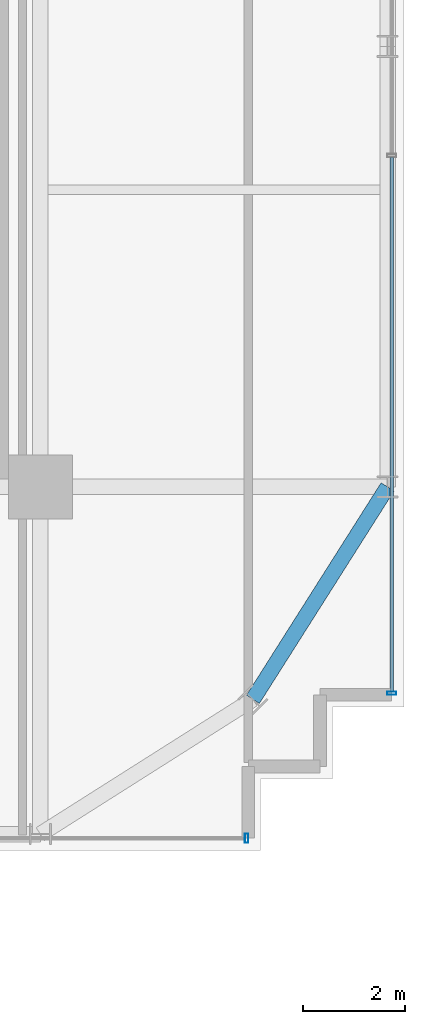
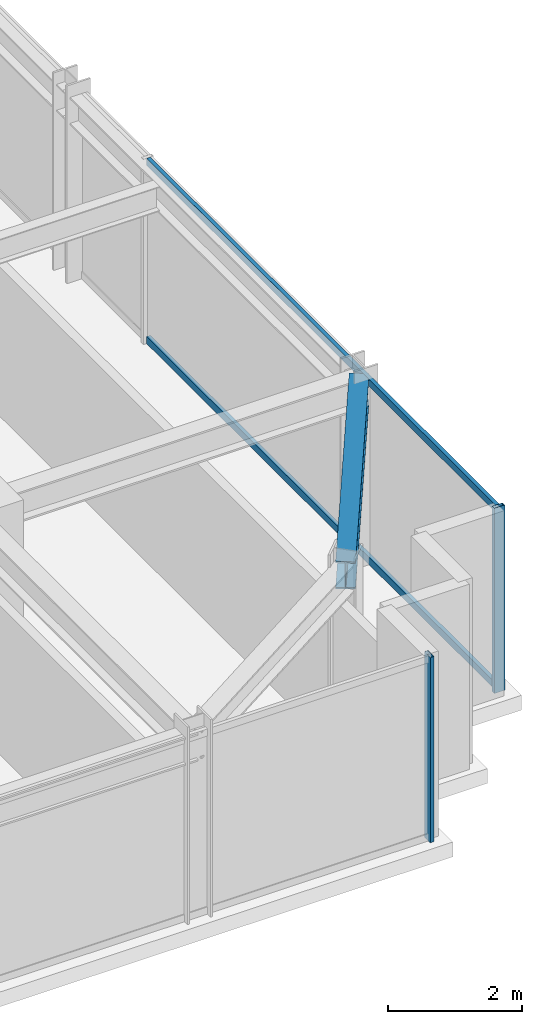
# One storey, part 12 of 31: 4 members, 1 beam, 2 elements without a shape of their own.
"""IFC4 building model written with IfcOpenShell, lengths in metres."""

import ifcopenshell
import ifcopenshell.guid

model = None  # the IFC model being written
_history = None  # IfcOwnerHistory: only IFC2X3 demands one
_inside = {}  # id of a spatial element -> (the spatial element, [elements in it])
_under = {}  # id of a project, library or spatial element -> (it, [spatial elements below it])
_declared = {}  # id of a project -> (the project, [libraries it declares])
_typed = {}  # id of a type object -> (the type object, [elements of that type])
_made_of = {}  # id of a material, layer set ... -> (it, [elements and type objects made of it])


def new_model(schema):
    """Start an empty IFC model of exactly this schema.

    Asked for "IFC4X3", IfcOpenShell would pick the latest addendum, in which some entities
    have other attributes; the version numbers below select the first issue.
    IFC2X3 requires an IfcOwnerHistory on every rooted entity: one is made here for all.
    """
    global model, _history
    if schema == "IFC4X3":
        model = ifcopenshell.file(schema_version=(4, 3, 0, 0))
    else:
        model = ifcopenshell.file(schema=schema)
    _inside.clear()
    _under.clear()
    _declared.clear()
    _typed.clear()
    _made_of.clear()
    _history = None
    if model.schema == "IFC2X3":
        org = make("IfcOrganization", Name="unknown")
        user = make(
            "IfcPersonAndOrganization",
            ThePerson=make("IfcPerson", FamilyName="unknown"),
            TheOrganization=org,
        )
        app = make(
            "IfcApplication",
            ApplicationDeveloper=org,
            Version="unknown",
            ApplicationFullName="unknown",
            ApplicationIdentifier="unknown",
        )
        _history = make(
            "IfcOwnerHistory",
            OwningUser=user,
            OwningApplication=app,
            ChangeAction="ADDED",
            CreationDate=0,
        )
    return model


def make(cls, **values):
    """One entity of the class cls with the attributes given. An attribute that is None is left unset."""
    return model.create_entity(
        cls, **{name: value for name, value in values.items() if value is not None}
    )


def rooted(cls, **values):
    """An entity with a GlobalId (a new one), such as an element, a storey or a relation."""
    return make(cls, GlobalId=ifcopenshell.guid.new(), OwnerHistory=_history, **values)


def si_unit(unit_type, name, prefix=None):
    """IfcSIUnit, for example si_unit("LENGTHUNIT", "METRE", prefix="MILLI")."""
    return make("IfcSIUnit", UnitType=unit_type, Prefix=prefix, Name=name)


def assignment(units):
    """IfcUnitAssignment: the units of a project."""
    return None if units is None else make("IfcUnitAssignment", Units=units)


def point(xyz):
    """IfcCartesianPoint."""
    return None if xyz is None else make("IfcCartesianPoint", Coordinates=xyz)


def direction(xyz):
    """IfcDirection."""
    return None if xyz is None else make("IfcDirection", DirectionRatios=xyz)


def frame(location, z_axis=None, x_axis=None):
    """IfcAxis2Placement3D, a coordinate frame: its origin and axes. An axis left out is left unset."""
    return make(
        "IfcAxis2Placement3D",
        Location=point(location),
        Axis=direction(z_axis),
        RefDirection=direction(x_axis),
    )


def frame_2d(location, x_axis=None):
    """IfcAxis2Placement2D, a coordinate frame in the plane: its origin and x axis."""
    return make(
        "IfcAxis2Placement2D", Location=point(location), RefDirection=direction(x_axis)
    )


def origin():
    """The frame at (0, 0, 0) with its axes left unset."""
    return frame((0.0, 0.0, 0.0))


def origin_2d():
    """The frame at (0, 0) in the plane with its x axis left unset."""
    return frame_2d((0.0, 0.0))


def place(relative_to, where):
    """IfcLocalPlacement: puts the frame where relative to a parent placement (None: the world)."""
    return make(
        "IfcLocalPlacement", PlacementRelTo=relative_to, RelativePlacement=where
    )


def context(
    kind, dimensions, precision=None, world=None, true_north=None, identifier=None
):
    """IfcGeometricRepresentationContext, for example the 3D "Model" context."""
    return make(
        "IfcGeometricRepresentationContext",
        ContextIdentifier=identifier,
        ContextType=kind,
        CoordinateSpaceDimension=dimensions,
        Precision=precision,
        WorldCoordinateSystem=world,
        TrueNorth=true_north,
    )


def subcontext(parent, identifier, kind, view, scale=None):
    """IfcGeometricRepresentationSubContext, for example "Body" below "Model"."""
    return make(
        "IfcGeometricRepresentationSubContext",
        ContextIdentifier=identifier,
        ContextType=kind,
        ParentContext=parent,
        TargetScale=scale,
        TargetView=view,
    )


def project(units=None, contexts=None):
    """IfcProject with its units and contexts."""
    return rooted(
        "IfcProject",
        Name="project",
        RepresentationContexts=contexts,
        UnitsInContext=assignment(units),
    )


def spatial(cls, under=None, at=None, **own):
    """A site, building, storey or space (cls), placed at a placement, below another one or the project."""
    s = rooted(cls, ObjectPlacement=at, **own)
    if under is not None:
        _under.setdefault(under.id(), (under, []))[1].append(s)
    return s


def profile(cls, at=None, kind="AREA", **sizes):
    """A parametric profile (cls). Its sizes go by their IFC names, for example OverallWidth=200.0."""
    return make(cls, ProfileType=kind, Position=at, **sizes)


def hollow_rectangle(**sizes):
    """IfcRectangleHollowProfileDef."""
    return profile("IfcRectangleHollowProfileDef", **sizes)


def i_section(**sizes):
    """IfcIShapeProfileDef."""
    return profile("IfcIShapeProfileDef", **sizes)


def extrude(swept, where, along, depth):
    """IfcExtrudedAreaSolid: the profile swept, set in the frame where, extruded along a direction by depth."""
    return make(
        "IfcExtrudedAreaSolid",
        SweptArea=swept,
        Position=where,
        ExtrudedDirection=direction(along),
        Depth=depth,
    )


def shape(context_of_items, identifier, shape_type, items):
    """IfcShapeRepresentation: the items that make up one representation, for example the "Body"."""
    return make(
        "IfcShapeRepresentation",
        ContextOfItems=context_of_items,
        RepresentationIdentifier=identifier,
        RepresentationType=shape_type,
        Items=items,
    )


def source(mapping_origin, context_of_items, identifier, shape_type, items):
    """IfcRepresentationMap: a shape defined once, which mapped items show again and again."""
    return make(
        "IfcRepresentationMap",
        MappingOrigin=mapping_origin,
        MappedRepresentation=shape(context_of_items, identifier, shape_type, items),
    )


def transform(
    local_origin,
    x_axis=None,
    y_axis=None,
    z_axis=None,
    scale=None,
    scale2=None,
    scale3=None,
    uniform=True,
):
    """IfcCartesianTransformationOperator3D, or its non-uniform kind. x_axis, y_axis, z_axis: its Axis1, 2, 3."""
    if uniform:
        return make(
            "IfcCartesianTransformationOperator3D",
            Axis1=direction(x_axis),
            Axis2=direction(y_axis),
            LocalOrigin=point(local_origin),
            Scale=scale,
            Axis3=direction(z_axis),
        )
    return make(
        "IfcCartesianTransformationOperator3DnonUniform",
        Axis1=direction(x_axis),
        Axis2=direction(y_axis),
        LocalOrigin=point(local_origin),
        Scale=scale,
        Axis3=direction(z_axis),
        Scale2=scale2,
        Scale3=scale3,
    )


def mapped(mapping_source, mapping_target):
    """IfcMappedItem: shows the shape of a source again, moved by a transform."""
    return make(
        "IfcMappedItem", MappingSource=mapping_source, MappingTarget=mapping_target
    )


def material(Name=None, Category=None):
    """IfcMaterial."""
    return make("IfcMaterial", Name=Name, Category=Category)


def material_profile(
    of_material, cross_section, Name=None, Category=None, Priority=None
):
    """IfcMaterialProfile: a cross section and its material."""
    return make(
        "IfcMaterialProfile",
        Name=Name,
        Material=of_material,
        Profile=cross_section,
        Priority=Priority,
        Category=Category,
    )


def profile_set(profiles, Name=None, composite=None):
    """IfcMaterialProfileSet."""
    return make(
        "IfcMaterialProfileSet",
        Name=Name,
        MaterialProfiles=profiles,
        CompositeProfile=composite,
    )


def made_of(thing, what):
    """Note that an element or type object is made of a material, layer set ...; save() writes the relation."""
    if what is not None:
        _made_of.setdefault(what.id(), (what, []))[1].append(thing)
    return thing


def type_object(cls, material=None, **own):
    """A type object (cls), such as IfcWallType, which elements share."""
    return made_of(rooted(cls, **own), material)


def element(
    cls,
    number,
    at=None,
    inside=None,
    cuts=None,
    type_object=None,
    material=None,
    context=None,
    identifier="Body",
    shape_type=None,
    held_by="IfcProductDefinitionShape",
    body=None,
    shapes=None,
    **own,
):
    """One element of the class cls, such as IfcWall. Its Tag is "e" and its number.

    at: its placement. inside: the storey or other place that contains it. cuts: it is an
    opening in that element (IfcRelVoidsElement). A single representation is given by context,
    identifier, shape_type and body (its items); several are given by shapes. held_by: the class
    of the entity that holds the representations. save() writes the other relations.
    """
    e = rooted(cls, Tag="e%d" % number, ObjectPlacement=at, **own)
    if body is not None:
        shapes = [shape(context, identifier, shape_type, body)]
    if shapes is not None:
        e.Representation = make(held_by, Representations=shapes)
    if inside is not None:
        _inside.setdefault(inside.id(), (inside, []))[1].append(e)
    if cuts is not None:
        rooted(
            "IfcRelVoidsElement", RelatingBuildingElement=cuts, RelatedOpeningElement=e
        )
    if type_object is not None:
        _typed.setdefault(type_object.id(), (type_object, []))[1].append(e)
    return made_of(e, material)


def aggregate(whole, parts):
    """IfcRelAggregates: a whole, such as a stair, and the parts it consists of."""
    return rooted("IfcRelAggregates", RelatingObject=whole, RelatedObjects=parts)


def save(model, path):
    """Write the relations noted so far, then the file.

    IfcRelAggregates (storeys below a building ...), IfcRelContainedInSpatialStructure (elements
    in a storey), IfcRelDefinesByType, IfcRelAssociatesMaterial and IfcRelDeclares: one each for
    every whole, place, type object, material and project.
    """
    for whole, parts in _under.values():
        aggregate(whole, parts)
    for where, things in _inside.values():
        rooted(
            "IfcRelContainedInSpatialStructure",
            RelatedElements=things,
            RelatingStructure=where,
        )
    for kind, things in _typed.values():
        rooted("IfcRelDefinesByType", RelatedObjects=things, RelatingType=kind)
    for what, things in _made_of.values():
        rooted("IfcRelAssociatesMaterial", RelatedObjects=things, RelatingMaterial=what)
    for by, libraries in _declared.values():
        rooted("IfcRelDeclares", RelatingContext=by, RelatedDefinitions=libraries)
    model.write(path)


model = new_model("IFC4")

# Units and contexts
model_context = context("Model", 3, precision=1e-05, world=origin(), true_north=direction((0.0, 1.0)))
body_context = subcontext(model_context, "Body", "Model", "MODEL_VIEW")
ifc_project = project(units=[si_unit("LENGTHUNIT", "METRE"), si_unit("AREAUNIT", "SQUARE_METRE"), si_unit("VOLUMEUNIT", "CUBIC_METRE"), si_unit("PLANEANGLEUNIT", "RADIAN"), si_unit("MASSUNIT", "GRAM", prefix="KILO")], contexts=[model_context])

# Site, building, storey
site_placement = place(None, origin())
site = spatial("IfcSite", under=ifc_project, at=site_placement, CompositionType="ELEMENT")
building_placement = place(site_placement, origin())
building = spatial("IfcBuilding", under=site, at=building_placement, Name="Nahalor Promenade Grand Hotel", CompositionType="ELEMENT")
storey_placement = place(building_placement, frame((0.0, 0.0, 95.60009765625)))
storey = spatial("IfcBuildingStorey", under=building, at=storey_placement, Name="L23", CompositionType="ELEMENT", Elevation=95.60009765625)

# Beam
ifc_material_1 = material(Name="Steel S355JR", Category="steel")
ifc_material_profile_1 = material_profile(ifc_material_1, i_section(OverallWidth=0.3, OverallDepth=0.5, WebThickness=0.0145, FlangeThickness=0.028, at=origin_2d()), Name="HEB 500")
ifc_profile_set_1 = profile_set([ifc_material_profile_1], Name="Steel S355JR")
beam_type = type_object("IfcBeamType", Name="Beam-Spandrel-HEB500", PredefinedType="SPANDREL", material=ifc_profile_set_1)
shared_shape_1 = source(origin(), body_context, "Body", "SweptSolid", [
    extrude(i_section(OverallWidth=0.3, OverallDepth=0.5, WebThickness=0.0145, FlangeThickness=0.028, at=origin_2d()), origin(), (0.0, 0.0, 1.0), 4.9130859375),
])
beam_placement = place(storey_placement, frame((21.14990234375, -21.14990234375, 3.1298828125), z_axis=(0.535321591403, 0.844648325505, 0.0), x_axis=(-0.844648325505, 0.535321591403, 0.0)))
element("IfcBeam", 1, at=beam_placement, inside=storey, type_object=beam_type, Name="BM-L23-SPC-SE-2", PredefinedType="SPANDREL", context=body_context, shape_type="MappedRepresentation", body=[
    mapped(shared_shape_1, transform((0.0, 0.0, 0.0), scale=1.0)),
])

# Curtain wall, member
ifc_material_2 = material(Name="Anodised Bronze Aluminium EN AW-6063 T6", Category="aluminium")
curtain_wall_type = type_object("IfcCurtainWallType", Name="CW2 Typical Hotel Flush Bronze Unitised Curtain Wall", PredefinedType="USERDEFINED", material=ifc_material_2)
curtain_wall_1_placement = place(storey_placement, origin())
curtain_wall_1 = element("IfcCurtainWall", 2, at=curtain_wall_1_placement, inside=storey, type_object=curtain_wall_type, Name="L23 Curtain Wall CW-L23-S-3", ObjectType="UNITISED_CURTAIN_WALL", PredefinedType="USERDEFINED")
ifc_material_profile_2 = material_profile(ifc_material_2, hollow_rectangle(XDim=0.065, YDim=0.18, WallThickness=0.004, at=origin_2d()), Name="CWM 65x180x4")
ifc_profile_set_2 = profile_set([ifc_material_profile_2], Name="Anodised Bronze Aluminium EN AW-6063 T6")
member_type_1 = type_object("IfcMemberType", Name="CWM2 Typical Bronze Mullion 65x180", PredefinedType="MULLION", material=ifc_profile_set_2)
shared_shape_2 = source(origin(), body_context, "Body", "SweptSolid", [
    extrude(hollow_rectangle(XDim=0.065, YDim=0.18, WallThickness=0.004, at=origin_2d()), origin(), (0.0, 0.0, 1.0), 3.3798828125),
])
member_1_placement = place(storey_placement, frame((21.027587890625, -23.860107421875, 0.0), z_axis=(0.0, 0.0, 1.0), x_axis=(1.0, 0.0, 0.0)))
member_1 = element("IfcMember", 3, at=member_1_placement, type_object=member_type_1, Name="CW-L23-S-3 Mullion 2", PredefinedType="MULLION", context=body_context, shape_type="MappedRepresentation", body=[
    mapped(shared_shape_2, transform((0.0, 0.0, 0.0), scale=1.0)),
])
aggregate(curtain_wall_1, [member_1])

# Curtain wall, members
curtain_wall_2_placement = place(storey_placement, origin())
curtain_wall_2 = element("IfcCurtainWall", 4, at=curtain_wall_2_placement, inside=storey, type_object=curtain_wall_type, Name="L23 Curtain Wall CW-L23-E-1", ObjectType="UNITISED_CURTAIN_WALL", PredefinedType="USERDEFINED")
member_2_placement = place(storey_placement, frame((23.860107421875, -21.027587890625, 0.0), z_axis=(0.0, 0.0, 1.0), x_axis=(0.0, 1.0, 0.0)))
member_2 = element("IfcMember", 5, at=member_2_placement, type_object=member_type_1, Name="CW-L23-E-1 Mullion 0", PredefinedType="MULLION", context=body_context, shape_type="MappedRepresentation", body=[
    mapped(shared_shape_2, transform((0.0, 0.0, 0.0), scale=1.0)),
])
ifc_material_profile_3 = material_profile(ifc_material_2, hollow_rectangle(XDim=0.065, YDim=0.13, WallThickness=0.004, at=origin_2d()), Name="CWT 65x130x4")
ifc_profile_set_3 = profile_set([ifc_material_profile_3], Name="Anodised Bronze Aluminium EN AW-6063 T6")
member_type_2 = type_object("IfcMemberType", Name="CWT2 Typical Bronze Transom 65x130", PredefinedType="USERDEFINED", material=ifc_profile_set_3)
shared_shape_3 = source(origin(), body_context, "Body", "SweptSolid", [
    extrude(hollow_rectangle(XDim=0.065, YDim=0.13, WallThickness=0.004, at=origin_2d()), origin(), (0.0, 0.0, 1.0), 10.4326171875),
])
member_3_placement = place(storey_placement, frame((23.860107421875, -20.9951171875, 0.06494140625), z_axis=(0.0, 1.0, 0.0), x_axis=(-1.0, 0.0, 0.0)))
member_3 = element("IfcMember", 6, at=member_3_placement, type_object=member_type_2, Name="CW-L23-E-1 Transom 0-0", ObjectType="TRANSOM", PredefinedType="USERDEFINED", context=body_context, shape_type="MappedRepresentation", body=[
    mapped(shared_shape_3, transform((0.0, 0.0, 0.0), scale=1.0)),
])
member_4_placement = place(storey_placement, frame((23.860107421875, -20.9951171875, 3.31494140625), z_axis=(0.0, 1.0, 0.0), x_axis=(-1.0, 0.0, 0.0)))
member_4 = element("IfcMember", 7, at=member_4_placement, type_object=member_type_2, Name="CW-L23-E-1 Transom 0-1", ObjectType="TRANSOM", PredefinedType="USERDEFINED", context=body_context, shape_type="MappedRepresentation", body=[
    mapped(shared_shape_3, transform((0.0, 0.0, 0.0), scale=1.0)),
])
aggregate(curtain_wall_2, [member_2, member_3, member_4])

save(model, "model.ifc")
